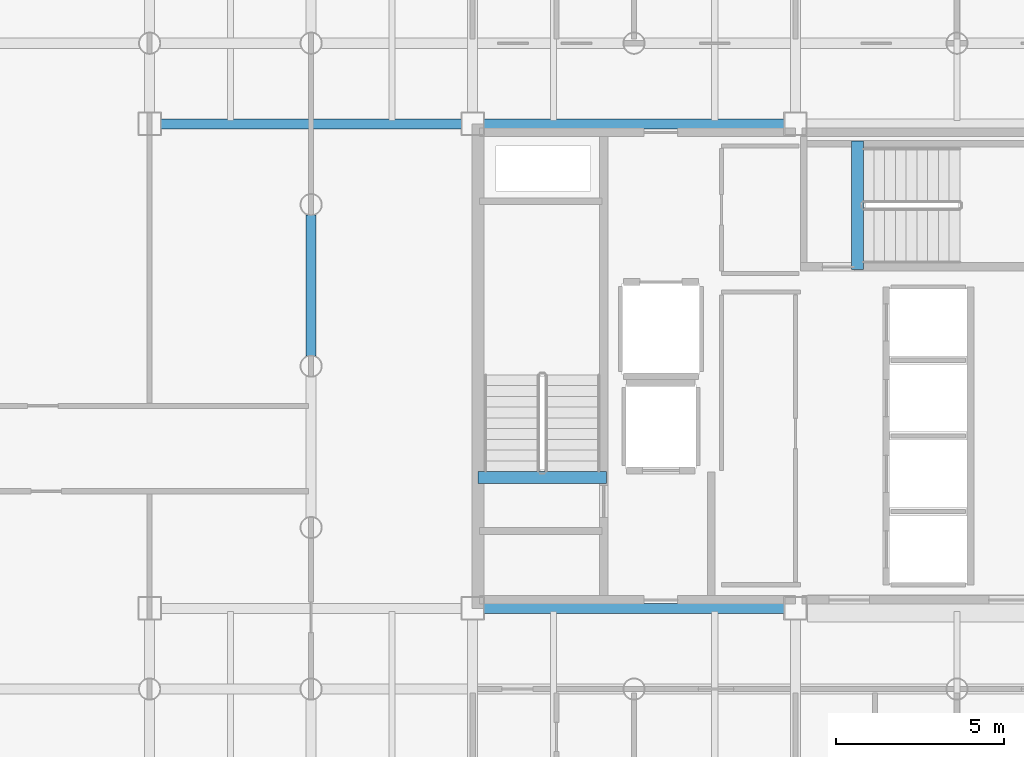
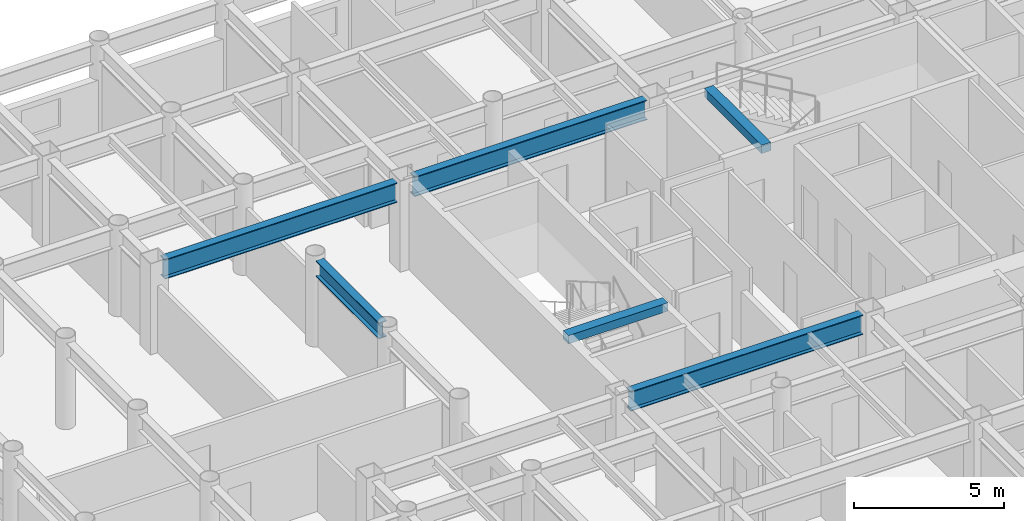
# One storey, part 5 of 20: 6 beams.
"""IFC4 building model written with IfcOpenShell, lengths in metres."""

from ifc_helpers import new_model, si_unit, direction, frame, origin, origin_2d, place, context, subcontext, project, spatial, rectangle, i_section, extrude, material, material_profile, profile_set, type_object, element, save


model = new_model("IFC4")

# Units and contexts
model_context = context("Model", 3, precision=1e-05, world=origin(), true_north=direction((0.0, 1.0)))
body_context = subcontext(model_context, "Body", "Model", "MODEL_VIEW")
ifc_project = project(units=[si_unit("LENGTHUNIT", "METRE"), si_unit("AREAUNIT", "SQUARE_METRE"), si_unit("VOLUMEUNIT", "CUBIC_METRE"), si_unit("PLANEANGLEUNIT", "RADIAN"), si_unit("MASSUNIT", "GRAM", prefix="KILO")], contexts=[model_context])

# Site, building, storey
site_placement = place(None, origin())
site = spatial("IfcSite", under=ifc_project, at=site_placement, CompositionType="ELEMENT")
building_placement = place(site_placement, origin())
building = spatial("IfcBuilding", under=site, at=building_placement, Name="Kallvorn Hotel Tower", CompositionType="ELEMENT")
storey_placement = place(building_placement, frame((0.0, 0.0, 161.800048828125)))
storey = spatial("IfcBuildingStorey", under=building, at=storey_placement, Name="L40", CompositionType="ELEMENT", Elevation=161.800048828125)

# Beams
ifc_material_1 = material(Name="Structural steel S355JR", Category="steel")
ifc_material_profile_1 = material_profile(ifc_material_1, i_section(OverallWidth=0.300048828125, OverallDepth=0.64990234375, WebThickness=0.01611328125, FlangeThickness=0.031005859375, at=origin_2d()), Name="HE 650 B")
ifc_profile_set_1 = profile_set([ifc_material_profile_1], Name="Structural steel S355JR")
beam_type_1 = type_object("IfcBeamType", Name="BM_HE650B", PredefinedType="BEAM", material=ifc_profile_set_1)
beam_1_placement = place(storey_placement, frame((-19.199951171875, 0.304931640625, 3.195068359375), z_axis=(0.0, 1.0, 0.0), x_axis=(-1.0, 0.0, 0.0)))
element("IfcBeam", 1, at=beam_1_placement, inside=storey, type_object=beam_type_1, Name="L41 Primary Y-Girder 94", PredefinedType="BEAM", context=body_context, shape_type="SweptSolid", body=[
    extrude(i_section(OverallWidth=0.300048828125, OverallDepth=0.64990234375, WebThickness=0.01611328125, FlangeThickness=0.031005859375, at=origin_2d()), origin(), (0.0, 0.0, 1.0), 4.190185546875),
])
ifc_material_2 = material(Name="Structural steel S355JR", Category="steel")
ifc_material_profile_2 = material_profile(ifc_material_2, i_section(OverallWidth=0.300048828125, OverallDepth=0.800048828125, WebThickness=0.017578125, FlangeThickness=0.032958984375, at=origin_2d()), Name="HE 800 B")
ifc_profile_set_2 = profile_set([ifc_material_profile_2], Name="Structural steel S355JR")
beam_type_2 = type_object("IfcBeamType", Name="BM_HE800B", PredefinedType="BEAM", material=ifc_profile_set_2)
for number, where, z_axis, x_axis, name in (
    (2, (-14.074951171875, -7.199951171875, 3.119873046875), (1.0, 0.0, 0.0), (0.0, 1.0, 0.0), "L41 Primary X-Girder 34"),
    (3, (-23.675048828125, 7.199951171875, 3.119873046875), (1.0, 0.0, 0.0), (0.0, 1.0, 0.0), "L41 Primary X-Girder 37"),
    (4, (-14.074951171875, 7.199951171875, 3.119873046875), (1.0, 0.0, 0.0), (0.0, 1.0, 0.0), "L41 Primary X-Girder 38"),
):
    element("IfcBeam", number, at=place(storey_placement, frame(where, z_axis=z_axis, x_axis=x_axis)), inside=storey, type_object=beam_type_2, Name=name, PredefinedType="BEAM", context=body_context, shape_type="SweptSolid", body=[
        extrude(i_section(OverallWidth=0.300048828125, OverallDepth=0.800048828125, WebThickness=0.017578125, FlangeThickness=0.032958984375, at=origin_2d()), origin(), (0.0, 0.0, 1.0), 8.949951171875),
    ])
ifc_material_3 = material(Name="Concrete C50/60", Category="concrete")
ifc_material_profile_3 = material_profile(ifc_material_3, rectangle(XDim=0.360107421875, YDim=0.340087890625, at=origin_2d()), Name="RC 360x340")
ifc_profile_set_3 = profile_set([ifc_material_profile_3], Name="Concrete C50/60")
beam_type_3 = type_object("IfcBeamType", Name="BM_RC_400x360", PredefinedType="BEAM", material=ifc_profile_set_3)
beam_2_placement = place(storey_placement, frame((-10.419921875, -3.31005859375, 3.349853515625), z_axis=(-1.0, 0.0, 0.0), x_axis=(0.0, -1.0, 0.0)))
element("IfcBeam", 5, at=beam_2_placement, inside=storey, type_object=beam_type_3, Name="L41 Stair ST1 Arrival Trimmer Beam", PredefinedType="BEAM", context=body_context, shape_type="SweptSolid", body=[
    extrude(rectangle(XDim=0.360107421875, YDim=0.340087890625, at=origin_2d()), origin(), (0.0, 0.0, 1.0), 3.820068359375),
])
beam_3_placement = place(storey_placement, frame((-2.9599609375, 2.8701171875, 3.349853515625), z_axis=(0.0, 1.0, 0.0), x_axis=(-1.0, 0.0, 0.0)))
element("IfcBeam", 6, at=beam_3_placement, inside=storey, type_object=beam_type_3, Name="L41 Stair ST3 Arrival Trimmer Beam", PredefinedType="BEAM", context=body_context, shape_type="SweptSolid", body=[
    extrude(rectangle(XDim=0.360107421875, YDim=0.340087890625, at=origin_2d()), origin(), (0.0, 0.0, 1.0), 3.81982421875),
])

save(model, "model.ifc")
